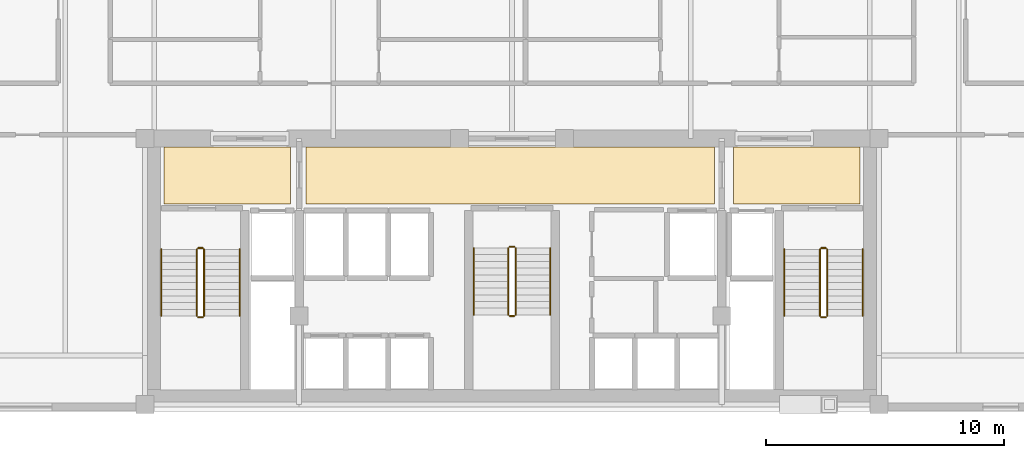
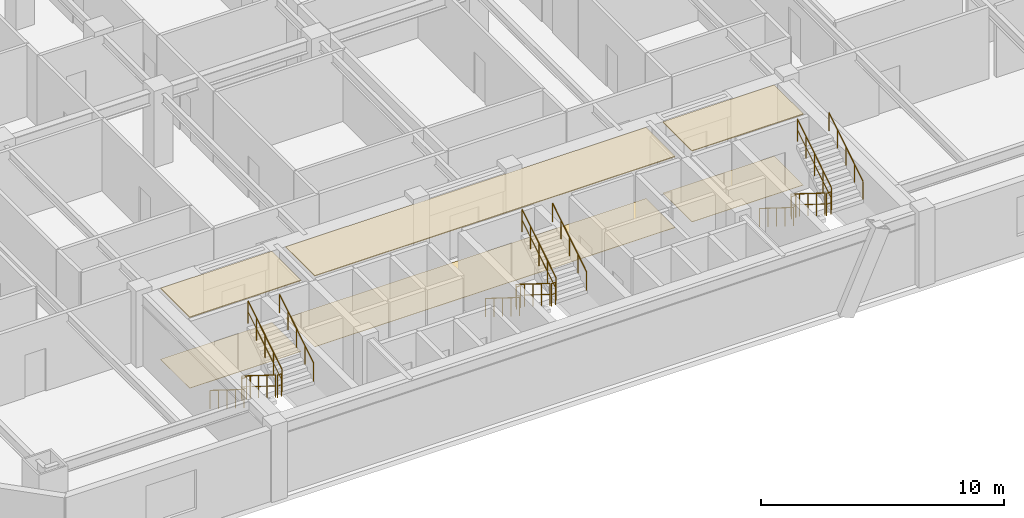
# One storey, part 9 of 9: 18 railings, 6 coverings.
"""IFC4 building model written with IfcOpenShell, lengths in metres."""

from ifc_helpers import new_model, si_unit, direction, frame, origin, origin_2d, place, context, subcontext, project, spatial, polyline, circle, outline, extrude, material, layer, layer_set, type_object, element, save


model = new_model("IFC4")

# Units and contexts
model_context = context("Model", 3, precision=1e-05, world=origin(), true_north=direction((0.0, 1.0)))
body_context = subcontext(model_context, "Body", "Model", "MODEL_VIEW")
ifc_project = project(units=[si_unit("LENGTHUNIT", "METRE"), si_unit("AREAUNIT", "SQUARE_METRE"), si_unit("VOLUMEUNIT", "CUBIC_METRE"), si_unit("PLANEANGLEUNIT", "RADIAN"), si_unit("MASSUNIT", "GRAM", prefix="KILO")], contexts=[model_context])

# Site, building, storey
site_placement = place(None, origin())
site = spatial("IfcSite", under=ifc_project, at=site_placement, CompositionType="ELEMENT")
building_placement = place(site_placement, origin())
building = spatial("IfcBuilding", under=site, at=building_placement, Name="Ventersveld Concourse Tower", CompositionType="ELEMENT")
storey_placement = place(building_placement, frame((0.0, 0.0, 84.89990234375)))
storey = spatial("IfcBuildingStorey", under=building, at=storey_placement, Name="L20", CompositionType="ELEMENT", Elevation=84.89990234375)

# Coverings
ifc_material_1 = material(Name="Mineral-fibre acoustic ceiling tile", Category="gypsum")
ifc_layer_1 = layer(ifc_material_1, 0.0400390625)
ifc_layer_set_1 = layer_set([ifc_layer_1], Name="Mineral-fibre acoustic ceiling tile")
covering_type_1 = type_object("IfcCoveringType", Name="COV-CEIL-ACOUSTIC", PredefinedType="CEILING", material=ifc_layer_set_1)
covering_1_placement = place(storey_placement, frame((0.0, 0.0, 3.56005859375)))
element("IfcCovering", 1, at=covering_1_placement, inside=storey, type_object=covering_type_1, Name="L20 North Lift Lobby Acoustic Ceiling", PredefinedType="CEILING", context=body_context, shape_type="SweptSolid", body=[
    extrude(outline(polyline([(20.10009765625, 8.699951171875), (37.25, 8.699951171875), (37.25, 11.10009765625), (20.10009765625, 11.10009765625), (20.10009765625, 8.699951171875)])), origin(), (0.0, 0.0, 1.0), 0.0400390625),
])
covering_2_placement = place(storey_placement, frame((0.0, 0.0, 3.56005859375)))
element("IfcCovering", 2, at=covering_2_placement, inside=storey, type_object=covering_type_1, Name="L20 West Firefighting Lobby Acoustic Ceiling", PredefinedType="CEILING", context=body_context, shape_type="SweptSolid", body=[
    extrude(outline(polyline([(14.14990234375, 8.699951171875), (19.449951171875, 8.699951171875), (19.449951171875, 11.10009765625), (14.14990234375, 11.10009765625), (14.14990234375, 8.699951171875)])), origin(), (0.0, 0.0, 1.0), 0.0400390625),
])
covering_3_placement = place(storey_placement, frame((0.0, 0.0, 3.56005859375)))
element("IfcCovering", 3, at=covering_3_placement, inside=storey, type_object=covering_type_1, Name="L20 East Firefighting Lobby Acoustic Ceiling", PredefinedType="CEILING", context=body_context, shape_type="SweptSolid", body=[
    extrude(outline(polyline([(38.050048828125, 8.699951171875), (43.35009765625, 8.699951171875), (43.35009765625, 11.10009765625), (38.050048828125, 11.10009765625), (38.050048828125, 8.699951171875)])), origin(), (0.0, 0.0, 1.0), 0.0400390625),
])
ifc_material_2 = material(Name="Polished Highveld granite terrazzo", Category="masonry")
ifc_layer_2 = layer(ifc_material_2, 0.02001953125)
ifc_layer_set_2 = layer_set([ifc_layer_2], Name="Polished Highveld granite terrazzo")
covering_type_2 = type_object("IfcCoveringType", Name="COV-FLOOR-TERRAZZO", PredefinedType="FLOORING", material=ifc_layer_set_2)
covering_4_placement = place(storey_placement, origin())
element("IfcCovering", 4, at=covering_4_placement, inside=storey, type_object=covering_type_2, Name="L20 North Lift Lobby Terrazzo Flooring", PredefinedType="FLOORING", context=body_context, shape_type="SweptSolid", body=[
    extrude(outline(polyline([(20.10009765625, 8.699951171875), (37.25, 8.699951171875), (37.25, 11.10009765625), (20.10009765625, 11.10009765625), (20.10009765625, 8.699951171875)])), origin(), (0.0, 0.0, 1.0), 0.02001953125),
])
covering_5_placement = place(storey_placement, origin())
element("IfcCovering", 5, at=covering_5_placement, inside=storey, type_object=covering_type_2, Name="L20 West Firefighting Lobby Terrazzo Flooring", PredefinedType="FLOORING", context=body_context, shape_type="SweptSolid", body=[
    extrude(outline(polyline([(14.14990234375, 8.699951171875), (19.449951171875, 8.699951171875), (19.449951171875, 11.10009765625), (14.14990234375, 11.10009765625), (14.14990234375, 8.699951171875)])), origin(), (0.0, 0.0, 1.0), 0.02001953125),
])
covering_6_placement = place(storey_placement, origin())
element("IfcCovering", 6, at=covering_6_placement, inside=storey, type_object=covering_type_2, Name="L20 East Firefighting Lobby Terrazzo Flooring", PredefinedType="FLOORING", context=body_context, shape_type="SweptSolid", body=[
    extrude(outline(polyline([(38.050048828125, 8.699951171875), (43.35009765625, 8.699951171875), (43.35009765625, 11.10009765625), (38.050048828125, 11.10009765625), (38.050048828125, 8.699951171875)])), origin(), (0.0, 0.0, 1.0), 0.02001953125),
])

# Railings
ifc_material_3 = material(Name="Brushed stainless steel 316", Category="steel")
railing_type_1 = type_object("IfcRailingType", Name="GD-BAL-115", PredefinedType="GUARDRAIL", material=ifc_material_3)
railing_1_placement = place(storey_placement, frame((15.530029296875, 6.800048828125, 0.175048828125)))
element("IfcRailing", 7, at=railing_1_placement, inside=storey, type_object=railing_type_1, Name="L20 ST-01 stair guard 1", PredefinedType="GUARDRAIL", context=body_context, shape_type="SweptSolid", body=[
    extrude(circle(Radius=0.02392578125, at=origin_2d()), frame((0.0, 0.0, 1.1259765625), z_axis=(0.0, -0.848002457836, 0.529992293815), x_axis=(1.0, 0.0, 0.0)), (0.0, 0.0, 1.0), 3.302001953125),
    extrude(circle(Radius=0.01611328125, at=origin_2d()), frame((0.0, 0.0, 0.574951171875), z_axis=(0.0, -0.848002457836, 0.529992293815), x_axis=(1.0, 0.0, 0.0)), (0.0, 0.0, 1.0), 3.302001953125),
    extrude(circle(Radius=0.02099609375, at=origin_2d()), origin(), (0.0, 0.0, 1.0), 1.101806640625),
    extrude(circle(Radius=0.02099609375, at=origin_2d()), frame((0.0, -0.699951171875, 0.4375)), (0.0, 0.0, 1.0), 1.101806640625),
    extrude(circle(Radius=0.02099609375, at=origin_2d()), frame((0.0, -1.39990234375, 0.875)), (0.0, 0.0, 1.0), 1.101806640625),
    extrude(circle(Radius=0.02099609375, at=origin_2d()), frame((0.0, -2.10009765625, 1.3125)), (0.0, 0.0, 1.0), 1.101806640625),
    extrude(circle(Radius=0.02099609375, at=origin_2d()), frame((0.0, -2.800048828125, 1.75)), (0.0, 0.0, 1.0), 1.101806640625),
])
railing_2_placement = place(storey_placement, frame((15.580078125, 3.949951171875, 1.925048828125)))
element("IfcRailing", 8, at=railing_2_placement, inside=storey, type_object=railing_type_1, Name="L20 ST-01 stair guard 2", PredefinedType="GUARDRAIL", context=body_context, shape_type="SweptSolid", body=[
    extrude(circle(Radius=0.02392578125, at=origin_2d()), frame((0.0, 0.0, 1.1259765625), z_axis=(1.0, 0.0, 0.0), x_axis=(0.0, 1.0, 0.0)), (0.0, 0.0, 1.0), 0.199951171875),
    extrude(circle(Radius=0.01611328125, at=origin_2d()), frame((0.0, 0.0, 0.574951171875), z_axis=(1.0, 0.0, 0.0), x_axis=(0.0, 1.0, 0.0)), (0.0, 0.0, 1.0), 0.199951171875),
    extrude(circle(Radius=0.02099609375, at=origin_2d()), origin(), (0.0, 0.0, 1.0), 1.101806640625),
    extrude(circle(Radius=0.02099609375, at=origin_2d()), frame((0.199951171875, 0.0, 0.0)), (0.0, 0.0, 1.0), 1.101806640625),
])
railing_3_placement = place(storey_placement, frame((15.830078125, 4.0, 2.10009765625)))
element("IfcRailing", 9, at=railing_3_placement, inside=storey, type_object=railing_type_1, Name="L20 ST-01 stair guard 3", PredefinedType="GUARDRAIL", context=body_context, shape_type="SweptSolid", body=[
    extrude(circle(Radius=0.02392578125, at=origin_2d()), frame((0.0, 0.0, 1.1259765625), z_axis=(0.0, 0.848002457836, 0.529992293815), x_axis=(-1.0, 0.0, 0.0)), (0.0, 0.0, 1.0), 3.302001953125),
    extrude(circle(Radius=0.01611328125, at=origin_2d()), frame((0.0, 0.0, 0.574951171875), z_axis=(0.0, 0.848002457836, 0.529992293815), x_axis=(-1.0, 0.0, 0.0)), (0.0, 0.0, 1.0), 3.302001953125),
    extrude(circle(Radius=0.02099609375, at=origin_2d()), origin(), (0.0, 0.0, 1.0), 1.101806640625),
    extrude(circle(Radius=0.02099609375, at=origin_2d()), frame((0.0, 0.699951171875, 0.4375)), (0.0, 0.0, 1.0), 1.101806640625),
    extrude(circle(Radius=0.02099609375, at=origin_2d()), frame((0.0, 1.39990234375, 0.875)), (0.0, 0.0, 1.0), 1.101806640625),
    extrude(circle(Radius=0.02099609375, at=origin_2d()), frame((0.0, 2.10009765625, 1.3125)), (0.0, 0.0, 1.0), 1.101806640625),
    extrude(circle(Radius=0.02099609375, at=origin_2d()), frame((0.0, 2.800048828125, 1.75)), (0.0, 0.0, 1.0), 1.101806640625),
])
railing_4_placement = place(storey_placement, frame((15.580078125, 6.85009765625, 0.0)))
element("IfcRailing", 10, at=railing_4_placement, inside=storey, type_object=railing_type_1, Name="L20 ST-01 stair guard 4", PredefinedType="GUARDRAIL", context=body_context, shape_type="SweptSolid", body=[
    extrude(circle(Radius=0.02392578125, at=origin_2d()), frame((0.0, 0.0, 1.1259765625), z_axis=(1.0, 0.0, 0.0), x_axis=(0.0, 1.0, 0.0)), (0.0, 0.0, 1.0), 0.199951171875),
    extrude(circle(Radius=0.01611328125, at=origin_2d()), frame((0.0, 0.0, 0.574951171875), z_axis=(1.0, 0.0, 0.0), x_axis=(0.0, 1.0, 0.0)), (0.0, 0.0, 1.0), 0.199951171875),
    extrude(circle(Radius=0.02099609375, at=origin_2d()), origin(), (0.0, 0.0, 1.0), 1.101806640625),
    extrude(circle(Radius=0.02099609375, at=origin_2d()), frame((0.199951171875, 0.0, 0.0)), (0.0, 0.0, 1.0), 1.101806640625),
])
railing_5_placement = place(storey_placement, frame((41.669921875, 6.800048828125, 0.175048828125)))
element("IfcRailing", 11, at=railing_5_placement, inside=storey, type_object=railing_type_1, Name="L20 ST-02 stair guard 1", PredefinedType="GUARDRAIL", context=body_context, shape_type="SweptSolid", body=[
    extrude(circle(Radius=0.02392578125, at=origin_2d()), frame((0.0, 0.0, 1.1259765625), z_axis=(0.0, -0.848002457836, 0.529992293815), x_axis=(1.0, 0.0, 0.0)), (0.0, 0.0, 1.0), 3.302001953125),
    extrude(circle(Radius=0.01611328125, at=origin_2d()), frame((0.0, 0.0, 0.574951171875), z_axis=(0.0, -0.848002457836, 0.529992293815), x_axis=(1.0, 0.0, 0.0)), (0.0, 0.0, 1.0), 3.302001953125),
    extrude(circle(Radius=0.02099609375, at=origin_2d()), origin(), (0.0, 0.0, 1.0), 1.101806640625),
    extrude(circle(Radius=0.02099609375, at=origin_2d()), frame((0.0, -0.699951171875, 0.4375)), (0.0, 0.0, 1.0), 1.101806640625),
    extrude(circle(Radius=0.02099609375, at=origin_2d()), frame((0.0, -1.39990234375, 0.875)), (0.0, 0.0, 1.0), 1.101806640625),
    extrude(circle(Radius=0.02099609375, at=origin_2d()), frame((0.0, -2.10009765625, 1.3125)), (0.0, 0.0, 1.0), 1.101806640625),
    extrude(circle(Radius=0.02099609375, at=origin_2d()), frame((0.0, -2.800048828125, 1.75)), (0.0, 0.0, 1.0), 1.101806640625),
])
railing_6_placement = place(storey_placement, frame((41.719970703125, 3.949951171875, 1.925048828125)))
element("IfcRailing", 12, at=railing_6_placement, inside=storey, type_object=railing_type_1, Name="L20 ST-02 stair guard 2", PredefinedType="GUARDRAIL", context=body_context, shape_type="SweptSolid", body=[
    extrude(circle(Radius=0.02392578125, at=origin_2d()), frame((0.0, 0.0, 1.1259765625), z_axis=(1.0, 0.0, 0.0), x_axis=(0.0, 1.0, 0.0)), (0.0, 0.0, 1.0), 0.199951171875),
    extrude(circle(Radius=0.01611328125, at=origin_2d()), frame((0.0, 0.0, 0.574951171875), z_axis=(1.0, 0.0, 0.0), x_axis=(0.0, 1.0, 0.0)), (0.0, 0.0, 1.0), 0.199951171875),
    extrude(circle(Radius=0.02099609375, at=origin_2d()), origin(), (0.0, 0.0, 1.0), 1.101806640625),
    extrude(circle(Radius=0.02099609375, at=origin_2d()), frame((0.199951171875, 0.0, 0.0)), (0.0, 0.0, 1.0), 1.101806640625),
])
railing_7_placement = place(storey_placement, frame((41.969970703125, 4.0, 2.10009765625)))
element("IfcRailing", 13, at=railing_7_placement, inside=storey, type_object=railing_type_1, Name="L20 ST-02 stair guard 3", PredefinedType="GUARDRAIL", context=body_context, shape_type="SweptSolid", body=[
    extrude(circle(Radius=0.02392578125, at=origin_2d()), frame((0.0, 0.0, 1.1259765625), z_axis=(0.0, 0.848002457836, 0.529992293815), x_axis=(-1.0, 0.0, 0.0)), (0.0, 0.0, 1.0), 3.302001953125),
    extrude(circle(Radius=0.01611328125, at=origin_2d()), frame((0.0, 0.0, 0.574951171875), z_axis=(0.0, 0.848002457836, 0.529992293815), x_axis=(-1.0, 0.0, 0.0)), (0.0, 0.0, 1.0), 3.302001953125),
    extrude(circle(Radius=0.02099609375, at=origin_2d()), origin(), (0.0, 0.0, 1.0), 1.101806640625),
    extrude(circle(Radius=0.02099609375, at=origin_2d()), frame((0.0, 0.699951171875, 0.4375)), (0.0, 0.0, 1.0), 1.101806640625),
    extrude(circle(Radius=0.02099609375, at=origin_2d()), frame((0.0, 1.39990234375, 0.875)), (0.0, 0.0, 1.0), 1.101806640625),
    extrude(circle(Radius=0.02099609375, at=origin_2d()), frame((0.0, 2.10009765625, 1.3125)), (0.0, 0.0, 1.0), 1.101806640625),
    extrude(circle(Radius=0.02099609375, at=origin_2d()), frame((0.0, 2.800048828125, 1.75)), (0.0, 0.0, 1.0), 1.101806640625),
])
railing_8_placement = place(storey_placement, frame((41.719970703125, 6.85009765625, 0.0)))
element("IfcRailing", 14, at=railing_8_placement, inside=storey, type_object=railing_type_1, Name="L20 ST-02 stair guard 4", PredefinedType="GUARDRAIL", context=body_context, shape_type="SweptSolid", body=[
    extrude(circle(Radius=0.02392578125, at=origin_2d()), frame((0.0, 0.0, 1.1259765625), z_axis=(1.0, 0.0, 0.0), x_axis=(0.0, 1.0, 0.0)), (0.0, 0.0, 1.0), 0.199951171875),
    extrude(circle(Radius=0.01611328125, at=origin_2d()), frame((0.0, 0.0, 0.574951171875), z_axis=(1.0, 0.0, 0.0), x_axis=(0.0, 1.0, 0.0)), (0.0, 0.0, 1.0), 0.199951171875),
    extrude(circle(Radius=0.02099609375, at=origin_2d()), origin(), (0.0, 0.0, 1.0), 1.101806640625),
    extrude(circle(Radius=0.02099609375, at=origin_2d()), frame((0.199951171875, 0.0, 0.0)), (0.0, 0.0, 1.0), 1.101806640625),
])
railing_9_placement = place(storey_placement, frame((28.60009765625, 6.85009765625, 0.175048828125)))
element("IfcRailing", 15, at=railing_9_placement, inside=storey, type_object=railing_type_1, Name="L20 ST-03 stair guard 1", PredefinedType="GUARDRAIL", context=body_context, shape_type="SweptSolid", body=[
    extrude(circle(Radius=0.02392578125, at=origin_2d()), frame((0.0, 0.0, 1.1259765625), z_axis=(0.0, -0.848002457836, 0.529992293815), x_axis=(1.0, 0.0, 0.0)), (0.0, 0.0, 1.0), 3.302001953125),
    extrude(circle(Radius=0.01611328125, at=origin_2d()), frame((0.0, 0.0, 0.574951171875), z_axis=(0.0, -0.848002457836, 0.529992293815), x_axis=(1.0, 0.0, 0.0)), (0.0, 0.0, 1.0), 3.302001953125),
    extrude(circle(Radius=0.02099609375, at=origin_2d()), origin(), (0.0, 0.0, 1.0), 1.101806640625),
    extrude(circle(Radius=0.02099609375, at=origin_2d()), frame((0.0, -0.699951171875, 0.4375)), (0.0, 0.0, 1.0), 1.101806640625),
    extrude(circle(Radius=0.02099609375, at=origin_2d()), frame((0.0, -1.39990234375, 0.875)), (0.0, 0.0, 1.0), 1.101806640625),
    extrude(circle(Radius=0.02099609375, at=origin_2d()), frame((0.0, -2.10009765625, 1.3125)), (0.0, 0.0, 1.0), 1.101806640625),
    extrude(circle(Radius=0.02099609375, at=origin_2d()), frame((0.0, -2.800048828125, 1.75)), (0.0, 0.0, 1.0), 1.101806640625),
])
railing_10_placement = place(storey_placement, frame((28.64990234375, 4.0, 1.925048828125)))
element("IfcRailing", 16, at=railing_10_placement, inside=storey, type_object=railing_type_1, Name="L20 ST-03 stair guard 2", PredefinedType="GUARDRAIL", context=body_context, shape_type="SweptSolid", body=[
    extrude(circle(Radius=0.02392578125, at=origin_2d()), frame((0.0, 0.0, 1.1259765625), z_axis=(1.0, 0.0, 0.0), x_axis=(0.0, 1.0, 0.0)), (0.0, 0.0, 1.0), 0.2001953125),
    extrude(circle(Radius=0.01611328125, at=origin_2d()), frame((0.0, 0.0, 0.574951171875), z_axis=(1.0, 0.0, 0.0), x_axis=(0.0, 1.0, 0.0)), (0.0, 0.0, 1.0), 0.2001953125),
    extrude(circle(Radius=0.02099609375, at=origin_2d()), origin(), (0.0, 0.0, 1.0), 1.101806640625),
    extrude(circle(Radius=0.02099609375, at=origin_2d()), frame((0.2001953125, 0.0, 0.0)), (0.0, 0.0, 1.0), 1.101806640625),
])
railing_11_placement = place(storey_placement, frame((28.89990234375, 4.050048828125, 2.10009765625)))
element("IfcRailing", 17, at=railing_11_placement, inside=storey, type_object=railing_type_1, Name="L20 ST-03 stair guard 3", PredefinedType="GUARDRAIL", context=body_context, shape_type="SweptSolid", body=[
    extrude(circle(Radius=0.02392578125, at=origin_2d()), frame((0.0, 0.0, 1.1259765625), z_axis=(0.0, 0.848002457836, 0.529992293815), x_axis=(-1.0, 0.0, 0.0)), (0.0, 0.0, 1.0), 3.302001953125),
    extrude(circle(Radius=0.01611328125, at=origin_2d()), frame((0.0, 0.0, 0.574951171875), z_axis=(0.0, 0.848002457836, 0.529992293815), x_axis=(-1.0, 0.0, 0.0)), (0.0, 0.0, 1.0), 3.302001953125),
    extrude(circle(Radius=0.02099609375, at=origin_2d()), origin(), (0.0, 0.0, 1.0), 1.101806640625),
    extrude(circle(Radius=0.02099609375, at=origin_2d()), frame((0.0, 0.699951171875, 0.4375)), (0.0, 0.0, 1.0), 1.101806640625),
    extrude(circle(Radius=0.02099609375, at=origin_2d()), frame((0.0, 1.39990234375, 0.875)), (0.0, 0.0, 1.0), 1.101806640625),
    extrude(circle(Radius=0.02099609375, at=origin_2d()), frame((0.0, 2.10009765625, 1.3125)), (0.0, 0.0, 1.0), 1.101806640625),
    extrude(circle(Radius=0.02099609375, at=origin_2d()), frame((0.0, 2.800048828125, 1.75)), (0.0, 0.0, 1.0), 1.101806640625),
])
railing_12_placement = place(storey_placement, frame((28.64990234375, 6.89990234375, 0.0)))
element("IfcRailing", 18, at=railing_12_placement, inside=storey, type_object=railing_type_1, Name="L20 ST-03 stair guard 4", PredefinedType="GUARDRAIL", context=body_context, shape_type="SweptSolid", body=[
    extrude(circle(Radius=0.02392578125, at=origin_2d()), frame((0.0, 0.0, 1.1259765625), z_axis=(1.0, 0.0, 0.0), x_axis=(0.0, 1.0, 0.0)), (0.0, 0.0, 1.0), 0.2001953125),
    extrude(circle(Radius=0.01611328125, at=origin_2d()), frame((0.0, 0.0, 0.574951171875), z_axis=(1.0, 0.0, 0.0), x_axis=(0.0, 1.0, 0.0)), (0.0, 0.0, 1.0), 0.2001953125),
    extrude(circle(Radius=0.02099609375, at=origin_2d()), origin(), (0.0, 0.0, 1.0), 1.101806640625),
    extrude(circle(Radius=0.02099609375, at=origin_2d()), frame((0.2001953125, 0.0, 0.0)), (0.0, 0.0, 1.0), 1.101806640625),
])
railing_type_2 = type_object("IfcRailingType", Name="HR-RMP-095", PredefinedType="HANDRAIL", material=ifc_material_3)
railing_13_placement = place(storey_placement, frame((14.030029296875, 6.800048828125, 0.175048828125)))
element("IfcRailing", 19, at=railing_13_placement, inside=storey, type_object=railing_type_2, Name="L20 ST-01 stair handrail 1", PredefinedType="HANDRAIL", context=body_context, shape_type="SweptSolid", body=[
    extrude(circle(Radius=0.02392578125, at=origin_2d()), frame((0.0, 0.0, 0.92578125), z_axis=(0.0, -0.848002457836, 0.529992293815), x_axis=(1.0, 0.0, 0.0)), (0.0, 0.0, 1.0), 3.302001953125),
    extrude(circle(Radius=0.02099609375, at=origin_2d()), origin(), (0.0, 0.0, 1.0), 0.90185546875),
    extrude(circle(Radius=0.02099609375, at=origin_2d()), frame((0.0, -0.699951171875, 0.4375)), (0.0, 0.0, 1.0), 0.90185546875),
    extrude(circle(Radius=0.02099609375, at=origin_2d()), frame((0.0, -1.39990234375, 0.875)), (0.0, 0.0, 1.0), 0.90185546875),
    extrude(circle(Radius=0.02099609375, at=origin_2d()), frame((0.0, -2.10009765625, 1.3125)), (0.0, 0.0, 1.0), 0.90185546875),
    extrude(circle(Radius=0.02099609375, at=origin_2d()), frame((0.0, -2.800048828125, 1.75)), (0.0, 0.0, 1.0), 0.90185546875),
])
railing_14_placement = place(storey_placement, frame((17.330078125, 4.0, 2.10009765625)))
element("IfcRailing", 20, at=railing_14_placement, inside=storey, type_object=railing_type_2, Name="L20 ST-01 stair handrail 2", PredefinedType="HANDRAIL", context=body_context, shape_type="SweptSolid", body=[
    extrude(circle(Radius=0.02392578125, at=origin_2d()), frame((0.0, 0.0, 0.92578125), z_axis=(0.0, 0.848002457836, 0.529992293815), x_axis=(-1.0, 0.0, 0.0)), (0.0, 0.0, 1.0), 3.302001953125),
    extrude(circle(Radius=0.02099609375, at=origin_2d()), origin(), (0.0, 0.0, 1.0), 0.90185546875),
    extrude(circle(Radius=0.02099609375, at=origin_2d()), frame((0.0, 0.699951171875, 0.4375)), (0.0, 0.0, 1.0), 0.90185546875),
    extrude(circle(Radius=0.02099609375, at=origin_2d()), frame((0.0, 1.39990234375, 0.875)), (0.0, 0.0, 1.0), 0.90185546875),
    extrude(circle(Radius=0.02099609375, at=origin_2d()), frame((0.0, 2.10009765625, 1.3125)), (0.0, 0.0, 1.0), 0.90185546875),
    extrude(circle(Radius=0.02099609375, at=origin_2d()), frame((0.0, 2.800048828125, 1.75)), (0.0, 0.0, 1.0), 0.90185546875),
])
railing_15_placement = place(storey_placement, frame((40.169921875, 6.800048828125, 0.175048828125)))
element("IfcRailing", 21, at=railing_15_placement, inside=storey, type_object=railing_type_2, Name="L20 ST-02 stair handrail 1", PredefinedType="HANDRAIL", context=body_context, shape_type="SweptSolid", body=[
    extrude(circle(Radius=0.02392578125, at=origin_2d()), frame((0.0, 0.0, 0.92578125), z_axis=(0.0, -0.848002457836, 0.529992293815), x_axis=(1.0, 0.0, 0.0)), (0.0, 0.0, 1.0), 3.302001953125),
    extrude(circle(Radius=0.02099609375, at=origin_2d()), origin(), (0.0, 0.0, 1.0), 0.90185546875),
    extrude(circle(Radius=0.02099609375, at=origin_2d()), frame((0.0, -0.699951171875, 0.4375)), (0.0, 0.0, 1.0), 0.90185546875),
    extrude(circle(Radius=0.02099609375, at=origin_2d()), frame((0.0, -1.39990234375, 0.875)), (0.0, 0.0, 1.0), 0.90185546875),
    extrude(circle(Radius=0.02099609375, at=origin_2d()), frame((0.0, -2.10009765625, 1.3125)), (0.0, 0.0, 1.0), 0.90185546875),
    extrude(circle(Radius=0.02099609375, at=origin_2d()), frame((0.0, -2.800048828125, 1.75)), (0.0, 0.0, 1.0), 0.90185546875),
])
railing_16_placement = place(storey_placement, frame((43.469970703125, 4.0, 2.10009765625)))
element("IfcRailing", 22, at=railing_16_placement, inside=storey, type_object=railing_type_2, Name="L20 ST-02 stair handrail 2", PredefinedType="HANDRAIL", context=body_context, shape_type="SweptSolid", body=[
    extrude(circle(Radius=0.02392578125, at=origin_2d()), frame((0.0, 0.0, 0.92578125), z_axis=(0.0, 0.848002457836, 0.529992293815), x_axis=(-1.0, 0.0, 0.0)), (0.0, 0.0, 1.0), 3.302001953125),
    extrude(circle(Radius=0.02099609375, at=origin_2d()), origin(), (0.0, 0.0, 1.0), 0.90185546875),
    extrude(circle(Radius=0.02099609375, at=origin_2d()), frame((0.0, 0.699951171875, 0.4375)), (0.0, 0.0, 1.0), 0.90185546875),
    extrude(circle(Radius=0.02099609375, at=origin_2d()), frame((0.0, 1.39990234375, 0.875)), (0.0, 0.0, 1.0), 0.90185546875),
    extrude(circle(Radius=0.02099609375, at=origin_2d()), frame((0.0, 2.10009765625, 1.3125)), (0.0, 0.0, 1.0), 0.90185546875),
    extrude(circle(Radius=0.02099609375, at=origin_2d()), frame((0.0, 2.800048828125, 1.75)), (0.0, 0.0, 1.0), 0.90185546875),
])
railing_17_placement = place(storey_placement, frame((27.14990234375, 6.85009765625, 0.175048828125)))
element("IfcRailing", 23, at=railing_17_placement, inside=storey, type_object=railing_type_2, Name="L20 ST-03 stair handrail 1", PredefinedType="HANDRAIL", context=body_context, shape_type="SweptSolid", body=[
    extrude(circle(Radius=0.02392578125, at=origin_2d()), frame((0.0, 0.0, 0.92578125), z_axis=(0.0, -0.848002457836, 0.529992293815), x_axis=(1.0, 0.0, 0.0)), (0.0, 0.0, 1.0), 3.302001953125),
    extrude(circle(Radius=0.02099609375, at=origin_2d()), origin(), (0.0, 0.0, 1.0), 0.90185546875),
    extrude(circle(Radius=0.02099609375, at=origin_2d()), frame((0.0, -0.699951171875, 0.4375)), (0.0, 0.0, 1.0), 0.90185546875),
    extrude(circle(Radius=0.02099609375, at=origin_2d()), frame((0.0, -1.39990234375, 0.875)), (0.0, 0.0, 1.0), 0.90185546875),
    extrude(circle(Radius=0.02099609375, at=origin_2d()), frame((0.0, -2.10009765625, 1.3125)), (0.0, 0.0, 1.0), 0.90185546875),
    extrude(circle(Radius=0.02099609375, at=origin_2d()), frame((0.0, -2.800048828125, 1.75)), (0.0, 0.0, 1.0), 0.90185546875),
])
railing_18_placement = place(storey_placement, frame((30.35009765625, 4.050048828125, 2.10009765625)))
element("IfcRailing", 24, at=railing_18_placement, inside=storey, type_object=railing_type_2, Name="L20 ST-03 stair handrail 2", PredefinedType="HANDRAIL", context=body_context, shape_type="SweptSolid", body=[
    extrude(circle(Radius=0.02392578125, at=origin_2d()), frame((0.0, 0.0, 0.92578125), z_axis=(0.0, 0.848002457836, 0.529992293815), x_axis=(-1.0, 0.0, 0.0)), (0.0, 0.0, 1.0), 3.302001953125),
    extrude(circle(Radius=0.02099609375, at=origin_2d()), origin(), (0.0, 0.0, 1.0), 0.90185546875),
    extrude(circle(Radius=0.02099609375, at=origin_2d()), frame((0.0, 0.699951171875, 0.4375)), (0.0, 0.0, 1.0), 0.90185546875),
    extrude(circle(Radius=0.02099609375, at=origin_2d()), frame((0.0, 1.39990234375, 0.875)), (0.0, 0.0, 1.0), 0.90185546875),
    extrude(circle(Radius=0.02099609375, at=origin_2d()), frame((0.0, 2.10009765625, 1.3125)), (0.0, 0.0, 1.0), 0.90185546875),
    extrude(circle(Radius=0.02099609375, at=origin_2d()), frame((0.0, 2.800048828125, 1.75)), (0.0, 0.0, 1.0), 0.90185546875),
])

save(model, "model.ifc")
